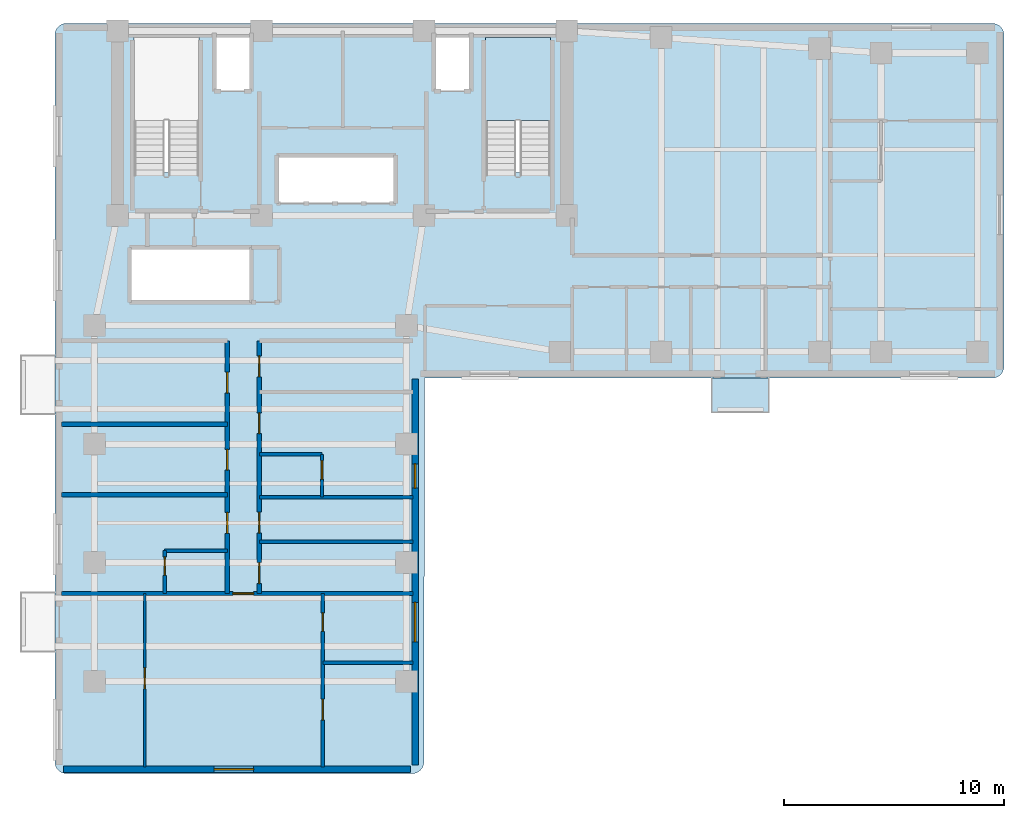
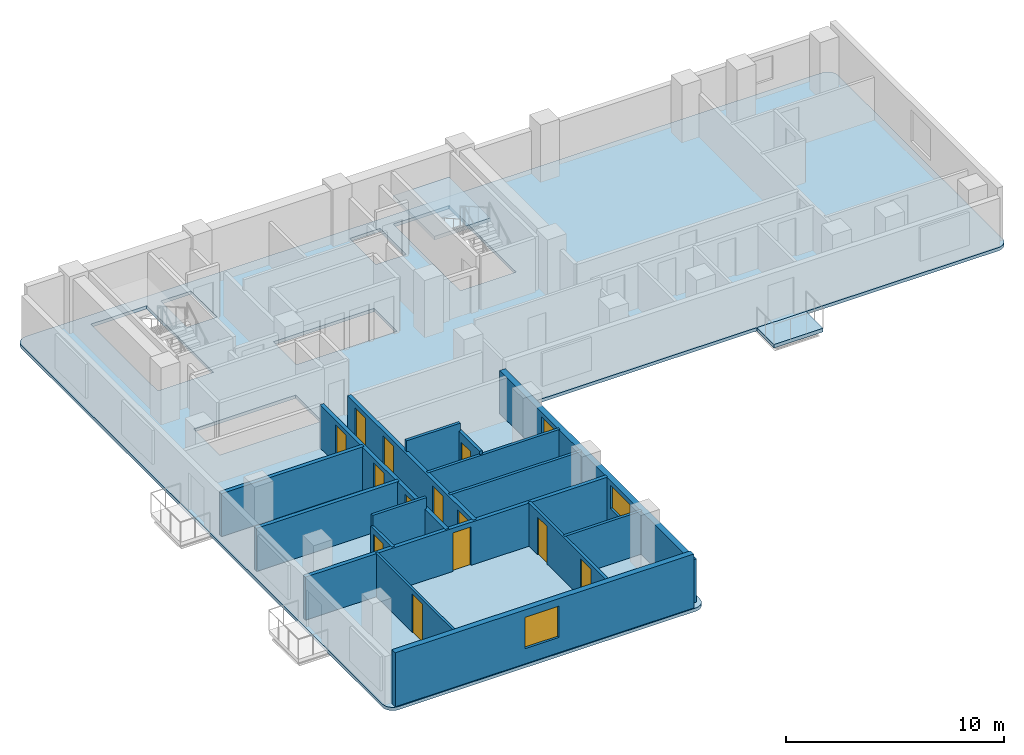
# One storey, part 2 of 7: 16 walls, 13 doors, 3 slabs, 3 windows, 16 openings, 1 element without a shape of its own.
"""IFC4 building model written with IfcOpenShell, lengths in metres."""

from ifc_helpers import new_model, si_unit, direction, frame, frame_2d, origin, place, context, subcontext, project, spatial, polyline, rectangle, outline, extrude, material, layer, layer_set, type_object, element, fill, aggregate, save


model = new_model("IFC4")

# Units and contexts
model_context = context("Model", 3, precision=1e-05, world=origin(), true_north=direction((0.0, 1.0)))
body_context = subcontext(model_context, "Body", "Model", "MODEL_VIEW")
ifc_project = project(units=[si_unit("LENGTHUNIT", "METRE"), si_unit("AREAUNIT", "SQUARE_METRE"), si_unit("VOLUMEUNIT", "CUBIC_METRE"), si_unit("PLANEANGLEUNIT", "RADIAN"), si_unit("MASSUNIT", "GRAM", prefix="KILO")], contexts=[model_context])

# Site, building, storey
site_placement = place(None, origin())
site = spatial("IfcSite", under=ifc_project, at=site_placement, CompositionType="ELEMENT")
building_placement = place(site_placement, origin())
building = spatial("IfcBuilding", under=site, at=building_placement, Name="Kuzgunbayir Cultural Tower", CompositionType="ELEMENT")
storey_placement = place(building_placement, frame((0.0, 0.0, 120.199951171875)))
storey = spatial("IfcBuildingStorey", under=building, at=storey_placement, Name="L34", CompositionType="ELEMENT", Elevation=120.199951171875)

# Slab
ifc_material_1 = material(Name="Concrete C40/50", Category="concrete")
ifc_layer_1 = layer(ifc_material_1, 0.199951171875)
ifc_layer_set_1 = layer_set([ifc_layer_1], Name="Concrete C40/50")
slab_type_1 = type_object("IfcSlabType", Name="SLB-BAL-STONE", PredefinedType="FLOOR", material=ifc_layer_set_1)
slab_1_placement = place(storey_placement, frame((0.0, 0.0, -0.199951171875)))
element("IfcSlab", 1, at=slab_1_placement, inside=storey, type_object=slab_type_1, Name="L34 Projecting Limestone Balcony BAL-L34-WB2", PredefinedType="FLOOR", context=body_context, shape_type="SweptSolid", body=[
    extrude(outline(polyline([(33.5, 24.840087890625), (36.10009765625, 24.840087890625), (36.10009765625, 26.39990234375), (33.5, 26.39990234375), (33.5, 24.840087890625)])), origin(), (0.0, 0.0, 1.0), 0.199951171875),
])

# Stair, slab
stair_type = type_object("IfcStairType", Name="STR-EXIT-CORE", PredefinedType="HALF_TURN_STAIR", material=ifc_material_1)
stair_placement = place(storey_placement, origin())
stair = element("IfcStair", 2, at=stair_placement, inside=storey, type_object=stair_type, Name="L34 ST-2", PredefinedType="HALF_TURN_STAIR")
ifc_layer_2 = layer(ifc_material_1, 0.179931640625)
ifc_layer_set_2 = layer_set([ifc_layer_2], Name="Concrete C40/50")
slab_type_2 = type_object("IfcSlabType", Name="SLB-LANDING-180", PredefinedType="LANDING", material=ifc_layer_set_2)
slab_2_placement = place(storey_placement, frame((0.0, 0.0, 1.400146484375)))
slab_2 = element("IfcSlab", 3, at=slab_2_placement, type_object=slab_type_2, Name="ST-2 landing 1", PredefinedType="LANDING", context=body_context, shape_type="SweptSolid", body=[
    extrude(outline(polyline([(26.159912109375, 38.1201171875), (26.159912109375, 41.89990234375), (23.199951171875, 41.89990234375), (23.199951171875, 38.1201171875), (26.159912109375, 38.1201171875)])), origin(), (0.0, 0.0, 1.0), 0.199951171875),
])
aggregate(stair, [slab_2])

# Slab
ifc_layer_3 = layer(ifc_material_1, 0.179931640625)
ifc_layer_set_3 = layer_set([ifc_layer_3], Name="Concrete C40/50")
slab_type_3 = type_object("IfcSlabType", Name="SLB-TYP-180", PredefinedType="FLOOR", material=ifc_layer_set_3)
slab_3_placement = place(storey_placement, frame((0.0, 0.0, -0.179931640625)))
element("IfcSlab", 4, at=slab_3_placement, inside=storey, type_object=slab_type_3, Name="L34 Tower 1 Floor Slab T1-MAIN", PredefinedType="FLOOR", context=body_context, shape_type="SweptSolid", body=[
    extrude(outline(polyline([(20.39990234375, 8.949951171875), (20.389892578125, 8.840087890625), (20.360107421875, 8.739990234375), (20.31005859375, 8.639892578125), (20.239990234375, 8.56005859375), (20.159912109375, 8.489990234375), (20.06005859375, 8.43994140625), (19.9599609375, 8.409912109375), (19.85009765625, 8.39990234375), (4.14990234375, 8.39990234375), (4.0400390625, 8.409912109375), (3.93994140625, 8.43994140625), (3.840087890625, 8.489990234375), (3.760009765625, 8.56005859375), (3.68994140625, 8.639892578125), (3.639892578125, 8.739990234375), (3.610107421875, 8.840087890625), (3.60009765625, 8.949951171875), (3.60009765625, 42.0), (3.610107421875, 42.110107421875), (3.639892578125, 42.2099609375), (3.68994140625, 42.31005859375), (3.760009765625, 42.389892578125), (3.840087890625, 42.4599609375), (3.93994140625, 42.510009765625), (4.0400390625, 42.5400390625), (4.14990234375, 42.550048828125), (46.25, 42.550048828125), (46.360107421875, 42.5400390625), (46.4599609375, 42.510009765625), (46.56005859375, 42.4599609375), (46.639892578125, 42.389892578125), (46.7099609375, 42.31005859375), (46.760009765625, 42.2099609375), (46.7900390625, 42.110107421875), (46.800048828125, 42.0), (46.800048828125, 26.949951171875), (46.7900390625, 26.840087890625), (46.760009765625, 26.739990234375), (46.7099609375, 26.639892578125), (46.639892578125, 26.56005859375), (46.56005859375, 26.489990234375), (46.4599609375, 26.43994140625), (46.360107421875, 26.409912109375), (46.25, 26.39990234375), (20.429931640625, 26.39990234375), (20.39990234375, 8.949951171875)]), holes=[polyline([(7.199951171875, 35.760009765625), (7.199951171875, 41.89990234375), (10.159912109375, 41.89990234375), (10.159912109375, 35.760009765625), (7.199951171875, 35.760009765625)]), polyline([(23.199951171875, 35.760009765625), (23.199951171875, 41.89990234375), (26.159912109375, 41.89990234375), (26.159912109375, 35.760009765625), (23.199951171875, 35.760009765625)]), polyline([(13.75, 34.39990234375), (13.75, 36.5), (19.080078125, 36.5), (19.080078125, 34.39990234375), (13.75, 34.39990234375)]), polyline([(7.10009765625, 29.89990234375), (7.10009765625, 32.300048828125), (12.5, 32.300048828125), (12.5, 29.89990234375), (7.10009765625, 29.89990234375)]), polyline([(10.89990234375, 39.5), (10.89990234375, 41.89990234375), (12.5, 41.89990234375), (12.5, 39.5), (10.89990234375, 39.5)]), polyline([(20.89990234375, 39.5), (20.89990234375, 41.89990234375), (22.5, 41.89990234375), (22.5, 39.5), (20.89990234375, 39.5)])]), origin(), (0.0, 0.0, 1.0), 0.179931640625),
])

# Wall, opening, window
ifc_material_2 = material(Name="Anatolian Cream Limestone", Category="masonry")
ifc_layer_4 = layer(ifc_material_2, 0.300048828125)
ifc_layer_set_4 = layer_set([ifc_layer_4], Name="Anatolian Cream Limestone")
wall_type_1 = type_object("IfcWallType", Name="WAL-EXT-STONE-300", PredefinedType="STANDARD", material=ifc_layer_set_4)
wall_1_placement = place(storey_placement, frame((4.0, 8.60009765625, 0.0), z_axis=(0.0, 0.0, 1.0), x_axis=(1.0, 0.0, 0.0)))
wall_1 = element("IfcWall", 5, at=wall_1_placement, inside=storey, type_object=wall_type_1, Name="L34 Wing A South Limestone Wall", PredefinedType="STANDARD", context=body_context, shape_type="SweptSolid", body=[
    extrude(rectangle(XDim=15.800048828125, YDim=0.300048828125, at=frame_2d((7.89990234375, 0.0))), origin(), (0.0, 0.0, 1.0), 3.02001953125),
])
opening_1_placement = place(wall_1_placement, frame((6.85009765625, 0.0, 0.85009765625)))
opening_1 = element("IfcOpeningElement", 6, at=opening_1_placement, cuts=wall_1, Name="Opening WH-18", PredefinedType="OPENING", context=body_context, shape_type="SweptSolid", body=[
    extrude(rectangle(XDim=1.800048828125, YDim=1.75, at=frame_2d((0.89990234375, 0.875))), frame((0.0, 0.16015625, 0.0), z_axis=(0.0, -1.0, 0.0), x_axis=(1.0, 0.0, 0.0)), (0.0, 0.0, 1.0), 0.320068359375),
])
ifc_material_3 = material(Name="Solar-Control Triple Glazing", Category="glass")
window_type_1 = type_object("IfcWindowType", Name="WIN-HOTEL-18", PartitioningType="SINGLE_PANEL", PredefinedType="WINDOW", material=ifc_material_3)
window_1_placement = place(opening_1_placement, origin())
window_1 = element("IfcWindow", 7, at=window_1_placement, inside=storey, type_object=window_type_1, Name="L34 WAS Facade Window 2", OverallHeight=1.75, OverallWidth=1.800048828125, PartitioningType="SINGLE_PANEL", PredefinedType="WINDOW", context=body_context, shape_type="SweptSolid", body=[
    extrude(rectangle(XDim=1.800048828125, YDim=1.75, at=frame_2d((0.89990234375, 0.875))), frame((0.0, 0.030029296875, 0.0), z_axis=(0.0, -1.0, 0.0), x_axis=(1.0, 0.0, 0.0)), (0.0, 0.0, 1.0), 0.06005859375),
])
fill(opening_1, window_1)

# Wall, openings, windows
wall_2_placement = place(storey_placement, frame((20.0, 8.800048828125, 0.0), z_axis=(0.0, 0.0, 1.0), x_axis=(0.0, 1.0, 0.0)))
wall_2 = element("IfcWall", 8, at=wall_2_placement, inside=storey, type_object=wall_type_1, Name="L34 Wing A East Limestone Wall", PredefinedType="STANDARD", context=body_context, shape_type="SweptSolid", body=[
    extrude(rectangle(XDim=17.550048828125, YDim=0.300048828125, at=frame_2d((8.77490234375, 0.0))), origin(), (0.0, 0.0, 1.0), 2.41015625),
])
opening_2_placement = place(wall_2_placement, frame((12.60009765625, 0.0, 0.85009765625)))
opening_2 = element("IfcOpeningElement", 9, at=opening_2_placement, cuts=wall_2, Name="Opening WN-11", PredefinedType="OPENING", context=body_context, shape_type="SweptSolid", body=[
    extrude(rectangle(XDim=1.10009765625, YDim=1.31005859375, at=frame_2d((0.550048828125, 0.655029296875))), frame((0.0, 0.16015625, 0.0), z_axis=(0.0, -1.0, 0.0), x_axis=(1.0, 0.0, 0.0)), (0.0, 0.0, 1.0), 0.320068359375),
])
opening_3_placement = place(wall_2_placement, frame((5.60009765625, 0.0, 0.85009765625)))
opening_3 = element("IfcOpeningElement", 10, at=opening_3_placement, cuts=wall_2, Name="Opening WH-18", PredefinedType="OPENING", context=body_context, shape_type="SweptSolid", body=[
    extrude(rectangle(XDim=1.800048828125, YDim=1.31005859375, at=frame_2d((0.89990234375, 0.655029296875))), frame((0.0, 0.16015625, 0.0), z_axis=(0.0, -1.0, 0.0), x_axis=(1.0, 0.0, 0.0)), (0.0, 0.0, 1.0), 0.320068359375),
])
window_2_placement = place(opening_3_placement, origin())
window_2 = element("IfcWindow", 11, at=window_2_placement, inside=storey, type_object=window_type_1, Name="L34 WAE Facade Window 9", OverallHeight=1.31005859375, OverallWidth=1.800048828125, PartitioningType="SINGLE_PANEL", PredefinedType="WINDOW", context=body_context, shape_type="SweptSolid", body=[
    extrude(rectangle(XDim=1.800048828125, YDim=1.31005859375, at=frame_2d((0.89990234375, 0.655029296875))), frame((0.0, 0.030029296875, 0.0), z_axis=(0.0, -1.0, 0.0), x_axis=(1.0, 0.0, 0.0)), (0.0, 0.0, 1.0), 0.06005859375),
])
fill(opening_3, window_2)
window_type_2 = type_object("IfcWindowType", Name="WIN-NARROW-11", PartitioningType="SINGLE_PANEL", PredefinedType="WINDOW", material=ifc_material_3)
window_3_placement = place(opening_2_placement, origin())
window_3 = element("IfcWindow", 12, at=window_3_placement, inside=storey, type_object=window_type_2, Name="L34 WAE Facade Window 3", OverallHeight=1.31005859375, OverallWidth=1.10009765625, PartitioningType="SINGLE_PANEL", PredefinedType="WINDOW", context=body_context, shape_type="SweptSolid", body=[
    extrude(rectangle(XDim=1.10009765625, YDim=1.31005859375, at=frame_2d((0.550048828125, 0.655029296875))), frame((0.0, 0.030029296875, 0.0), z_axis=(0.0, -1.0, 0.0), x_axis=(1.0, 0.0, 0.0)), (0.0, 0.0, 1.0), 0.06005859375),
])
fill(opening_2, window_3)

# Wall
ifc_material_4 = material(Name="Acoustic Double-Stud Drywall", Category="gypsum")
ifc_layer_5 = layer(ifc_material_4, 0.14990234375)
ifc_layer_set_5 = layer_set([ifc_layer_5], Name="Acoustic Double-Stud Drywall")
wall_type_2 = type_object("IfcWallType", Name="WAL-PART-ACOUSTIC-150", PredefinedType="PARTITIONING", material=ifc_layer_set_5)
wall_3_placement = place(storey_placement, frame((12.909912109375, 18.949951171875, 0.0), z_axis=(0.0, 0.0, 1.0), x_axis=(1.0, 0.0, 0.0)))
element("IfcWall", 13, at=wall_3_placement, inside=storey, type_object=wall_type_2, Name="L34 Housekeeping North Wall", PredefinedType="PARTITIONING", context=body_context, shape_type="SweptSolid", body=[
    extrude(rectangle(XDim=6.989990234375, YDim=0.14990234375, at=frame_2d((3.4951171875, 0.0))), origin(), (0.0, 0.0, 1.0), 2.41015625),
])

# Wall, openings, doors
ifc_material_5 = material(Name="Aerated Concrete Blockwork", Category="masonry")
ifc_layer_6 = layer(ifc_material_5, 0.199951171875)
ifc_layer_set_6 = layer_set([ifc_layer_6], Name="Aerated Concrete Blockwork")
wall_type_3 = type_object("IfcWallType", Name="WAL-PART-FIRE-200", PredefinedType="PARTITIONING", material=ifc_layer_set_6)
wall_4_placement = place(storey_placement, frame((11.449951171875, 16.60009765625, 0.0), z_axis=(0.0, 0.0, 1.0), x_axis=(0.0, 1.0, 0.0)))
wall_4 = element("IfcWall", 14, at=wall_4_placement, inside=storey, type_object=wall_type_3, Name="L34 Wing A West Corridor Wall", PredefinedType="PARTITIONING", context=body_context, shape_type="SweptSolid", body=[
    extrude(rectangle(XDim=11.5, YDim=0.199951171875, at=frame_2d((5.75, 0.0))), origin(), (0.0, 0.0, 1.0), 2.41015625),
])
opening_4_placement = place(wall_4_placement, frame((2.739990234375, 0.0, 0.0)))
opening_4 = element("IfcOpeningElement", 15, at=opening_4_placement, cuts=wall_4, Name="Opening DR-APT-60", PredefinedType="OPENING", context=body_context, shape_type="SweptSolid", body=[
    extrude(rectangle(XDim=0.949951171875, YDim=2.14990234375, at=frame_2d((0.47509765625, 1.074951171875))), frame((0.0, 0.10986328125, 0.0), z_axis=(0.0, -1.0, 0.0), x_axis=(1.0, 0.0, 0.0)), (0.0, 0.0, 1.0), 0.219970703125),
])
opening_5_placement = place(wall_4_placement, frame((5.610107421875, 0.0, 0.0)))
opening_5 = element("IfcOpeningElement", 16, at=opening_5_placement, cuts=wall_4, Name="Opening DI-90", PredefinedType="OPENING", context=body_context, shape_type="SweptSolid", body=[
    extrude(rectangle(XDim=0.949951171875, YDim=2.14990234375, at=frame_2d((0.47509765625, 1.074951171875))), frame((0.0, 0.10986328125, 0.0), z_axis=(0.0, -1.0, 0.0), x_axis=(1.0, 0.0, 0.0)), (0.0, 0.0, 1.0), 0.219970703125),
])
opening_6_placement = place(wall_4_placement, frame((9.1201171875, 0.0, 0.0)))
opening_6 = element("IfcOpeningElement", 17, at=opening_6_placement, cuts=wall_4, Name="Opening DI-90", PredefinedType="OPENING", context=body_context, shape_type="SweptSolid", body=[
    extrude(rectangle(XDim=0.949951171875, YDim=2.14990234375, at=frame_2d((0.47509765625, 1.074951171875))), frame((0.0, 0.10986328125, 0.0), z_axis=(0.0, -1.0, 0.0), x_axis=(1.0, 0.0, 0.0)), (0.0, 0.0, 1.0), 0.219970703125),
])
ifc_material_6 = material(Name="Acoustic Fire Timber Leaf", Category="wood")
door_type_1 = type_object("IfcDoorType", Name="DR-APT-60", OperationType="NOTDEFINED", PredefinedType="DOOR", material=ifc_material_6)
door_1_placement = place(opening_4_placement, origin())
door_1 = element("IfcDoor", 18, at=door_1_placement, inside=storey, type_object=door_type_1, Name="L34 Guest Suite W1 Entrance", OperationType="SINGLE_SWING_RIGHT", OverallHeight=2.14990234375, OverallWidth=0.949951171875, PredefinedType="DOOR", context=body_context, shape_type="SweptSolid", body=[
    extrude(rectangle(XDim=0.949951171875, YDim=2.14990234375, at=frame_2d((0.47509765625, 1.074951171875))), frame((0.0, 0.02490234375, 0.0), z_axis=(0.0, -1.0, 0.0), x_axis=(1.0, 0.0, 0.0)), (0.0, 0.0, 1.0), 0.050048828125),
])
fill(opening_4, door_1)
ifc_material_7 = material(Name="Veneered Oak Single Leaf", Category="wood")
door_type_2 = type_object("IfcDoorType", Name="DR-INT-90", OperationType="NOTDEFINED", PredefinedType="DOOR", material=ifc_material_7)
door_2_placement = place(opening_5_placement, origin())
door_2 = element("IfcDoor", 19, at=door_2_placement, inside=storey, type_object=door_type_2, Name="L34 Culinary Tasting Pantry 2 Door", OperationType="SINGLE_SWING_LEFT", OverallHeight=2.14990234375, OverallWidth=0.949951171875, PredefinedType="DOOR", context=body_context, shape_type="SweptSolid", body=[
    extrude(rectangle(XDim=0.949951171875, YDim=2.14990234375, at=frame_2d((0.47509765625, 1.074951171875))), frame((0.0, 0.02490234375, 0.0), z_axis=(0.0, -1.0, 0.0), x_axis=(1.0, 0.0, 0.0)), (0.0, 0.0, 1.0), 0.050048828125),
])
fill(opening_5, door_2)
door_3_placement = place(opening_6_placement, origin())
door_3 = element("IfcDoor", 20, at=door_3_placement, inside=storey, type_object=door_type_2, Name="L34 Culinary Tasting Pantry 3 Door", OperationType="SINGLE_SWING_RIGHT", OverallHeight=2.14990234375, OverallWidth=0.949951171875, PredefinedType="DOOR", context=body_context, shape_type="SweptSolid", body=[
    extrude(rectangle(XDim=0.949951171875, YDim=2.14990234375, at=frame_2d((0.47509765625, 1.074951171875))), frame((0.0, 0.02490234375, 0.0), z_axis=(0.0, -1.0, 0.0), x_axis=(1.0, 0.0, 0.0)), (0.0, 0.0, 1.0), 0.050048828125),
])
fill(opening_6, door_3)

wall_5_placement = place(storey_placement, frame((12.909912109375, 16.60009765625, 0.0), z_axis=(0.0, 0.0, 1.0), x_axis=(0.0, 1.0, 0.0)))
wall_5 = element("IfcWall", 21, at=wall_5_placement, inside=storey, type_object=wall_type_3, Name="L34 Wing A East Corridor Wall", PredefinedType="PARTITIONING", context=body_context, shape_type="SweptSolid", body=[
    extrude(rectangle(XDim=11.5, YDim=0.199951171875, at=frame_2d((5.75, 0.0))), origin(), (0.0, 0.0, 1.0), 2.41015625),
])
opening_7_placement = place(wall_5_placement, frame((0.449951171875, 0.0, 0.0)))
opening_7 = element("IfcOpeningElement", 22, at=opening_7_placement, cuts=wall_5, Name="Opening DI-90", PredefinedType="OPENING", context=body_context, shape_type="SweptSolid", body=[
    extrude(rectangle(XDim=0.949951171875, YDim=2.14990234375, at=frame_2d((0.47509765625, 1.074951171875))), frame((0.0, 0.10986328125, 0.0), z_axis=(0.0, -1.0, 0.0), x_axis=(1.0, 0.0, 0.0)), (0.0, 0.0, 1.0), 0.219970703125),
])
opening_8_placement = place(wall_5_placement, frame((2.75, 0.0, 0.0)))
opening_8 = element("IfcOpeningElement", 23, at=opening_8_placement, cuts=wall_5, Name="Opening DW-95", PredefinedType="OPENING", context=body_context, shape_type="SweptSolid", body=[
    extrude(rectangle(XDim=0.949951171875, YDim=2.10009765625, at=frame_2d((0.47509765625, 1.050048828125))), frame((0.0, 0.10986328125, 0.0), z_axis=(0.0, -1.0, 0.0), x_axis=(1.0, 0.0, 0.0)), (0.0, 0.0, 1.0), 0.219970703125),
])
opening_9_placement = place(wall_5_placement, frame((9.860107421875, 0.0, 0.0)))
opening_9 = element("IfcOpeningElement", 24, at=opening_9_placement, cuts=wall_5, Name="Opening DI-90", PredefinedType="OPENING", context=body_context, shape_type="SweptSolid", body=[
    extrude(rectangle(XDim=0.949951171875, YDim=2.14990234375, at=frame_2d((0.47509765625, 1.074951171875))), frame((0.0, 0.10986328125, 0.0), z_axis=(0.0, -1.0, 0.0), x_axis=(1.0, 0.0, 0.0)), (0.0, 0.0, 1.0), 0.219970703125),
])
opening_10_placement = place(wall_5_placement, frame((7.27001953125, 0.0, 0.0)))
opening_10 = element("IfcOpeningElement", 25, at=opening_10_placement, cuts=wall_5, Name="Opening DR-APT-60", PredefinedType="OPENING", context=body_context, shape_type="SweptSolid", body=[
    extrude(rectangle(XDim=0.949951171875, YDim=2.14990234375, at=frame_2d((0.47509765625, 1.074951171875))), frame((0.0, 0.10986328125, 0.0), z_axis=(0.0, -1.0, 0.0), x_axis=(1.0, 0.0, 0.0)), (0.0, 0.0, 1.0), 0.219970703125),
])
door_4_placement = place(opening_10_placement, origin())
door_4 = element("IfcDoor", 26, at=door_4_placement, inside=storey, type_object=door_type_1, Name="L34 Guest Suite E1 Entrance", OperationType="SINGLE_SWING_LEFT", OverallHeight=2.14990234375, OverallWidth=0.949951171875, PredefinedType="DOOR", context=body_context, shape_type="SweptSolid", body=[
    extrude(rectangle(XDim=0.949951171875, YDim=2.14990234375, at=frame_2d((0.47509765625, 1.074951171875))), frame((0.0, 0.02490234375, 0.0), z_axis=(0.0, -1.0, 0.0), x_axis=(1.0, 0.0, 0.0)), (0.0, 0.0, 1.0), 0.050048828125),
])
fill(opening_10, door_4)
door_5_placement = place(opening_7_placement, origin())
door_5 = element("IfcDoor", 27, at=door_5_placement, inside=storey, type_object=door_type_2, Name="L34 Housekeeping Room Door", OperationType="SINGLE_SWING_LEFT", OverallHeight=2.14990234375, OverallWidth=0.949951171875, PredefinedType="DOOR", context=body_context, shape_type="SweptSolid", body=[
    extrude(rectangle(XDim=0.949951171875, YDim=2.14990234375, at=frame_2d((0.47509765625, 1.074951171875))), frame((0.0, 0.02490234375, 0.0), z_axis=(0.0, -1.0, 0.0), x_axis=(1.0, 0.0, 0.0)), (0.0, 0.0, 1.0), 0.050048828125),
])
fill(opening_7, door_5)
door_6_placement = place(opening_9_placement, origin())
door_6 = element("IfcDoor", 28, at=door_6_placement, inside=storey, type_object=door_type_2, Name="L34 Culinary Tasting Pantry E1 Door", OperationType="SINGLE_SWING_LEFT", OverallHeight=2.14990234375, OverallWidth=0.949951171875, PredefinedType="DOOR", context=body_context, shape_type="SweptSolid", body=[
    extrude(rectangle(XDim=0.949951171875, YDim=2.14990234375, at=frame_2d((0.47509765625, 1.074951171875))), frame((0.0, 0.02490234375, 0.0), z_axis=(0.0, -1.0, 0.0), x_axis=(1.0, 0.0, 0.0)), (0.0, 0.0, 1.0), 0.050048828125),
])
fill(opening_9, door_6)
ifc_material_8 = material(Name="Laminate Moisture-Resistant Leaf", Category="wood")
door_type_3 = type_object("IfcDoorType", Name="DR-WET-95", OperationType="NOTDEFINED", PredefinedType="DOOR", material=ifc_material_8)
door_7_placement = place(opening_8_placement, origin())
door_7 = element("IfcDoor", 29, at=door_7_placement, inside=storey, type_object=door_type_3, Name="L34 Accessible WC Door", OperationType="SINGLE_SWING_RIGHT", OverallHeight=2.10009765625, OverallWidth=0.949951171875, PredefinedType="DOOR", context=body_context, shape_type="SweptSolid", body=[
    extrude(rectangle(XDim=0.949951171875, YDim=2.10009765625, at=frame_2d((0.47509765625, 1.050048828125))), frame((0.0, 0.02490234375, 0.0), z_axis=(0.0, -1.0, 0.0), x_axis=(1.0, 0.0, 0.0)), (0.0, 0.0, 1.0), 0.050048828125),
])
fill(opening_8, door_7)

# Wall, opening, door
wall_6_placement = place(storey_placement, frame((3.89990234375, 16.60009765625, 0.0), z_axis=(0.0, 0.0, 1.0), x_axis=(1.0, 0.0, 0.0)))
wall_6 = element("IfcWall", 30, at=wall_6_placement, inside=storey, type_object=wall_type_3, Name="L34 South Cross Partition", PredefinedType="PARTITIONING", context=body_context, shape_type="SweptSolid", body=[
    extrude(rectangle(XDim=16.0, YDim=0.199951171875, at=frame_2d((8.0, 0.0))), origin(), (0.0, 0.0, 1.0), 2.41015625),
])
opening_11_placement = place(wall_6_placement, frame((7.800048828125, 0.0, 0.0)))
opening_11 = element("IfcOpeningElement", 31, at=opening_11_placement, cuts=wall_6, Name="Opening DR-APT-60", PredefinedType="OPENING", context=body_context, shape_type="SweptSolid", body=[
    extrude(rectangle(XDim=0.949951171875, YDim=2.14990234375, at=frame_2d((0.47509765625, 1.074951171875))), frame((0.0, 0.10986328125, 0.0), z_axis=(0.0, -1.0, 0.0), x_axis=(1.0, 0.0, 0.0)), (0.0, 0.0, 1.0), 0.219970703125),
])
door_8_placement = place(opening_11_placement, origin())
door_8 = element("IfcDoor", 32, at=door_8_placement, inside=storey, type_object=door_type_1, Name="L34 Diplomatic Suite Entrance", OperationType="SINGLE_SWING_LEFT", OverallHeight=2.14990234375, OverallWidth=0.949951171875, PredefinedType="DOOR", context=body_context, shape_type="SweptSolid", body=[
    extrude(rectangle(XDim=0.949951171875, YDim=2.14990234375, at=frame_2d((0.47509765625, 1.074951171875))), frame((0.0, 0.02490234375, 0.0), z_axis=(0.0, -1.0, 0.0), x_axis=(1.0, 0.0, 0.0)), (0.0, 0.0, 1.0), 0.050048828125),
])
fill(opening_11, door_8)

# Walls
for number, where, z_axis, x_axis, name in (
    (33, (3.89990234375, 21.090087890625, 0.0), (0.0, 0.0, 1.0), (1.0, 0.0, 0.0), "L34 West Party Wall 1"),
    (34, (3.89990234375, 24.300048828125, 0.0), (0.0, 0.0, 1.0), (1.0, 0.0, 0.0), "L34 West Party Wall 2"),
):
    element("IfcWall", number, at=place(storey_placement, frame(where, z_axis=z_axis, x_axis=x_axis)), inside=storey, type_object=wall_type_3, Name=name, PredefinedType="PARTITIONING", context=body_context, shape_type="SweptSolid", body=[
        extrude(rectangle(XDim=7.550048828125, YDim=0.199951171875, at=frame_2d((3.77490234375, 0.0))), origin(), (0.0, 0.0, 1.0), 2.41015625),
    ])

# Wall, opening, door
ifc_material_9 = material(Name="Framed Gypsum Partition", Category="gypsum")
ifc_layer_7 = layer(ifc_material_9, 0.1201171875)
ifc_layer_set_7 = layer_set([ifc_layer_7], Name="Framed Gypsum Partition")
wall_type_4 = type_object("IfcWallType", Name="WAL-PART-INT-120", PredefinedType="PARTITIONING", material=ifc_layer_set_7)
wall_7_placement = place(storey_placement, frame((7.699951171875, 8.699951171875, 0.0), z_axis=(0.0, 0.0, 1.0), x_axis=(0.0, 1.0, 0.0)))
wall_7 = element("IfcWall", 35, at=wall_7_placement, inside=storey, type_object=wall_type_4, Name="L34 Diplomatic Suite Bedroom Wall", PredefinedType="PARTITIONING", context=body_context, shape_type="SweptSolid", body=[
    extrude(rectangle(XDim=7.900146484375, YDim=0.1201171875, at=frame_2d((3.9501953125, 0.0))), origin(), (0.0, 0.0, 1.0), 2.41015625),
])
opening_12_placement = place(wall_7_placement, frame((3.56005859375, 0.0, 0.0)))
opening_12 = element("IfcOpeningElement", 36, at=opening_12_placement, cuts=wall_7, Name="Opening DI-90", PredefinedType="OPENING", context=body_context, shape_type="SweptSolid", body=[
    extrude(rectangle(XDim=0.949951171875, YDim=2.14990234375, at=frame_2d((0.47509765625, 1.074951171875))), frame((0.0, 0.070068359375, 0.0), z_axis=(0.0, -1.0, 0.0), x_axis=(1.0, 0.0, 0.0)), (0.0, 0.0, 1.0), 0.14013671875),
])
door_9_placement = place(opening_12_placement, origin())
door_9 = element("IfcDoor", 37, at=door_9_placement, inside=storey, type_object=door_type_2, Name="L34 Diplomatic Bedroom Door", OperationType="SINGLE_SWING_RIGHT", OverallHeight=2.14990234375, OverallWidth=0.949951171875, PredefinedType="DOOR", context=body_context, shape_type="SweptSolid", body=[
    extrude(rectangle(XDim=0.949951171875, YDim=2.14990234375, at=frame_2d((0.47509765625, 1.074951171875))), frame((0.0, 0.02490234375, 0.0), z_axis=(0.0, -1.0, 0.0), x_axis=(1.0, 0.0, 0.0)), (0.0, 0.0, 1.0), 0.050048828125),
])
fill(opening_12, door_9)

# Wall
ifc_material_10 = material(Name="Moisture-Resistant Tile Partition", Category="gypsum")
ifc_layer_8 = layer(ifc_material_10, 0.14990234375)
ifc_layer_set_8 = layer_set([ifc_layer_8], Name="Moisture-Resistant Tile Partition")
wall_type_5 = type_object("IfcWallType", Name="WAL-PART-WET-150", PredefinedType="PARTITIONING", material=ifc_layer_set_8)
wall_8_placement = place(storey_placement, frame((8.60009765625, 18.550048828125, 0.0), z_axis=(0.0, 0.0, 1.0), x_axis=(1.0, 0.0, 0.0)))
element("IfcWall", 38, at=wall_8_placement, inside=storey, type_object=wall_type_5, Name="L34 Suite W1 En-Suite North Wall", PredefinedType="PARTITIONING", context=body_context, shape_type="SweptSolid", body=[
    extrude(rectangle(XDim=2.849853515625, YDim=0.14990234375, at=frame_2d((1.4248046875, 0.0))), origin(), (0.0, 0.0, 1.0), 3.02001953125),
])

# Wall, opening, door
wall_9_placement = place(storey_placement, frame((8.60009765625, 16.60009765625, 0.0), z_axis=(0.0, 0.0, 1.0), x_axis=(0.0, 1.0, 0.0)))
wall_9 = element("IfcWall", 39, at=wall_9_placement, inside=storey, type_object=wall_type_5, Name="L34 Suite W1 En-Suite West Wall", PredefinedType="PARTITIONING", context=body_context, shape_type="SweptSolid", body=[
    extrude(rectangle(XDim=1.949951171875, YDim=0.14990234375, at=frame_2d((0.97509765625, 0.0))), origin(), (0.0, 0.0, 1.0), 2.41015625),
])
opening_13_placement = place(wall_9_placement, frame((0.820068359375, 0.0, 0.0)))
opening_13 = element("IfcOpeningElement", 40, at=opening_13_placement, cuts=wall_9, Name="Opening DW-85", PredefinedType="OPENING", context=body_context, shape_type="SweptSolid", body=[
    extrude(rectangle(XDim=0.85009765625, YDim=2.10009765625, at=frame_2d((0.425048828125, 1.050048828125))), frame((0.0, 0.0849609375, 0.0), z_axis=(0.0, -1.0, 0.0), x_axis=(1.0, 0.0, 0.0)), (0.0, 0.0, 1.0), 0.169921875),
])
door_type_4 = type_object("IfcDoorType", Name="DR-WET-85", OperationType="NOTDEFINED", PredefinedType="DOOR", material=ifc_material_8)
door_10_placement = place(opening_13_placement, origin())
door_10 = element("IfcDoor", 41, at=door_10_placement, inside=storey, type_object=door_type_4, Name="L34 Suite W1 En-Suite Door", OperationType="SINGLE_SWING_LEFT", OverallHeight=2.10009765625, OverallWidth=0.85009765625, PredefinedType="DOOR", context=body_context, shape_type="SweptSolid", body=[
    extrude(rectangle(XDim=0.85009765625, YDim=2.10009765625, at=frame_2d((0.425048828125, 1.050048828125))), frame((0.0, 0.02490234375, 0.0), z_axis=(0.0, -1.0, 0.0), x_axis=(1.0, 0.0, 0.0)), (0.0, 0.0, 1.0), 0.050048828125),
])
fill(opening_13, door_10)

# Wall, openings, doors
wall_10_placement = place(storey_placement, frame((15.800048828125, 8.699951171875, 0.0), z_axis=(0.0, 0.0, 1.0), x_axis=(0.0, 1.0, 0.0)))
wall_10 = element("IfcWall", 42, at=wall_10_placement, inside=storey, type_object=wall_type_5, Name="L34 Diplomatic Suite Service Wall", PredefinedType="PARTITIONING", context=body_context, shape_type="SweptSolid", body=[
    extrude(rectangle(XDim=7.900146484375, YDim=0.14990234375, at=frame_2d((3.9501953125, 0.0))), origin(), (0.0, 0.0, 1.0), 2.41015625),
])
opening_14_placement = place(wall_10_placement, frame((2.139892578125, 0.0, 0.0)))
opening_14 = element("IfcOpeningElement", 43, at=opening_14_placement, cuts=wall_10, Name="Opening DI-90", PredefinedType="OPENING", context=body_context, shape_type="SweptSolid", body=[
    extrude(rectangle(XDim=0.949951171875, YDim=2.14990234375, at=frame_2d((0.47509765625, 1.074951171875))), frame((0.0, 0.0849609375, 0.0), z_axis=(0.0, -1.0, 0.0), x_axis=(1.0, 0.0, 0.0)), (0.0, 0.0, 1.0), 0.169921875),
])
opening_15_placement = place(wall_10_placement, frame((6.169921875, 0.0, 0.0)))
opening_15 = element("IfcOpeningElement", 44, at=opening_15_placement, cuts=wall_10, Name="Opening DW-85", PredefinedType="OPENING", context=body_context, shape_type="SweptSolid", body=[
    extrude(rectangle(XDim=0.85009765625, YDim=2.10009765625, at=frame_2d((0.425048828125, 1.050048828125))), frame((0.0, 0.0849609375, 0.0), z_axis=(0.0, -1.0, 0.0), x_axis=(1.0, 0.0, 0.0)), (0.0, 0.0, 1.0), 0.169921875),
])
door_11_placement = place(opening_14_placement, origin())
door_11 = element("IfcDoor", 45, at=door_11_placement, inside=storey, type_object=door_type_2, Name="L34 Diplomatic Kitchen Door", OperationType="SINGLE_SWING_LEFT", OverallHeight=2.14990234375, OverallWidth=0.949951171875, PredefinedType="DOOR", context=body_context, shape_type="SweptSolid", body=[
    extrude(rectangle(XDim=0.949951171875, YDim=2.14990234375, at=frame_2d((0.47509765625, 1.074951171875))), frame((0.0, 0.02490234375, 0.0), z_axis=(0.0, -1.0, 0.0), x_axis=(1.0, 0.0, 0.0)), (0.0, 0.0, 1.0), 0.050048828125),
])
fill(opening_14, door_11)
door_12_placement = place(opening_15_placement, origin())
door_12 = element("IfcDoor", 46, at=door_12_placement, inside=storey, type_object=door_type_4, Name="L34 Diplomatic Bathroom Door", OperationType="SINGLE_SWING_RIGHT", OverallHeight=2.10009765625, OverallWidth=0.85009765625, PredefinedType="DOOR", context=body_context, shape_type="SweptSolid", body=[
    extrude(rectangle(XDim=0.85009765625, YDim=2.10009765625, at=frame_2d((0.425048828125, 1.050048828125))), frame((0.0, 0.02490234375, 0.0), z_axis=(0.0, -1.0, 0.0), x_axis=(1.0, 0.0, 0.0)), (0.0, 0.0, 1.0), 0.050048828125),
])
fill(opening_15, door_12)

# Walls
wall_11_placement = place(storey_placement, frame((15.800048828125, 13.449951171875, 0.0), z_axis=(0.0, 0.0, 1.0), x_axis=(1.0, 0.0, 0.0)))
element("IfcWall", 47, at=wall_11_placement, inside=storey, type_object=wall_type_5, Name="L34 Diplomatic Suite Bath Kitchen Divider", PredefinedType="PARTITIONING", context=body_context, shape_type="SweptSolid", body=[
    extrude(rectangle(XDim=4.099853515625, YDim=0.14990234375, at=frame_2d((2.0498046875, 0.0))), origin(), (0.0, 0.0, 1.0), 2.41015625),
])
wall_12_placement = place(storey_placement, frame((12.909912109375, 20.97998046875, 0.0), z_axis=(0.0, 0.0, 1.0), x_axis=(1.0, 0.0, 0.0)))
element("IfcWall", 48, at=wall_12_placement, inside=storey, type_object=wall_type_5, Name="L34 Accessible WC North Wall", PredefinedType="PARTITIONING", context=body_context, shape_type="SweptSolid", body=[
    extrude(rectangle(XDim=6.989990234375, YDim=0.14990234375, at=frame_2d((3.4951171875, 0.0))), origin(), (0.0, 0.0, 1.0), 2.41015625),
])
wall_13_placement = place(storey_placement, frame((12.909912109375, 22.929931640625, 0.0), z_axis=(0.0, 0.0, 1.0), x_axis=(1.0, 0.0, 0.0)))
element("IfcWall", 49, at=wall_13_placement, inside=storey, type_object=wall_type_5, Name="L34 Suite E1 En-Suite North Wall", PredefinedType="PARTITIONING", context=body_context, shape_type="SweptSolid", body=[
    extrude(rectangle(XDim=2.85009765625, YDim=0.14990234375, at=frame_2d((1.425048828125, 0.0))), origin(), (0.0, 0.0, 1.0), 3.02001953125),
])

# Wall, opening, door
wall_14_placement = place(storey_placement, frame((15.760009765625, 20.97998046875, 0.0), z_axis=(0.0, 0.0, 1.0), x_axis=(0.0, 1.0, 0.0)))
wall_14 = element("IfcWall", 50, at=wall_14_placement, inside=storey, type_object=wall_type_5, Name="L34 Suite E1 En-Suite East Wall", PredefinedType="PARTITIONING", context=body_context, shape_type="SweptSolid", body=[
    extrude(rectangle(XDim=1.949951171875, YDim=0.14990234375, at=frame_2d((0.97509765625, 0.0))), origin(), (0.0, 0.0, 1.0), 2.60009765625),
])
opening_16_placement = place(wall_14_placement, frame((0.820068359375, 0.0, 0.0)))
opening_16 = element("IfcOpeningElement", 51, at=opening_16_placement, cuts=wall_14, Name="Opening DW-85", PredefinedType="OPENING", context=body_context, shape_type="SweptSolid", body=[
    extrude(rectangle(XDim=0.85009765625, YDim=2.10009765625, at=frame_2d((0.425048828125, 1.050048828125))), frame((0.0, 0.0849609375, 0.0), z_axis=(0.0, -1.0, 0.0), x_axis=(1.0, 0.0, 0.0)), (0.0, 0.0, 1.0), 0.169921875),
])
door_13_placement = place(opening_16_placement, origin())
door_13 = element("IfcDoor", 52, at=door_13_placement, inside=storey, type_object=door_type_4, Name="L34 Suite E1 En-Suite Door", OperationType="SINGLE_SWING_RIGHT", OverallHeight=2.10009765625, OverallWidth=0.85009765625, PredefinedType="DOOR", context=body_context, shape_type="SweptSolid", body=[
    extrude(rectangle(XDim=0.85009765625, YDim=2.10009765625, at=frame_2d((0.425048828125, 1.050048828125))), frame((0.0, 0.02490234375, 0.0), z_axis=(0.0, -1.0, 0.0), x_axis=(1.0, 0.0, 0.0)), (0.0, 0.0, 1.0), 0.050048828125),
])
fill(opening_16, door_13)

save(model, "model.ifc")
